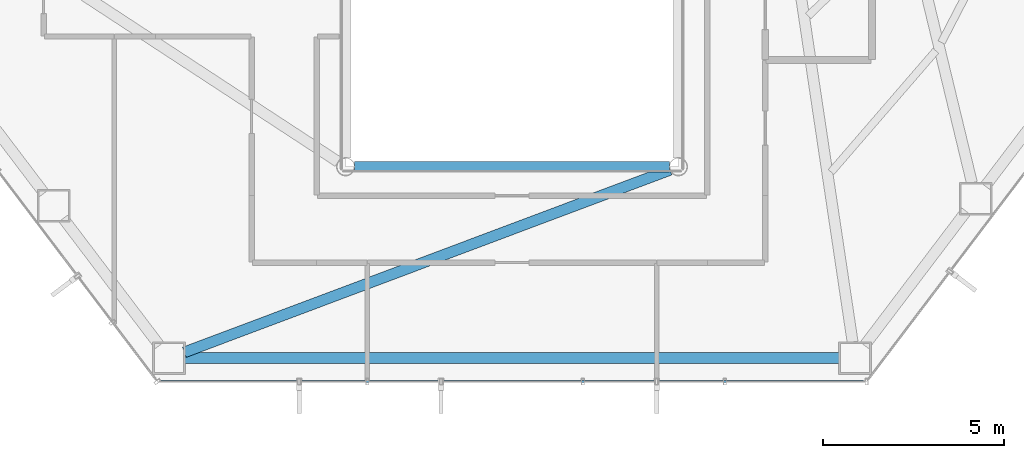
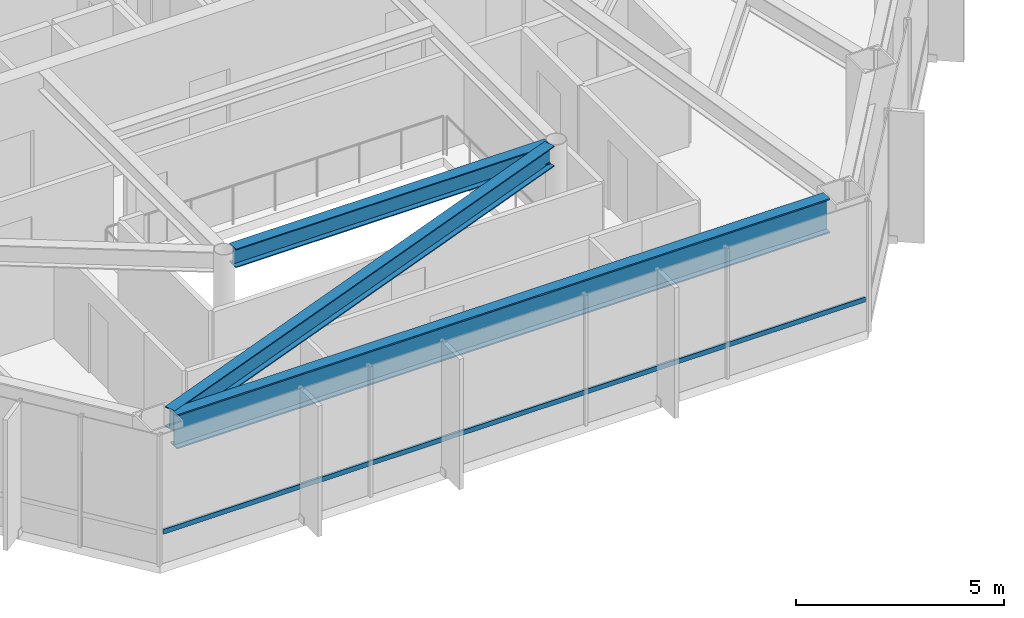
# One storey, part 7 of 25: 3 beams, 1 member, 1 element without a shape of its own.
"""IFC4 building model written with IfcOpenShell, lengths in metres."""

from ifc_helpers import new_model, si_unit, direction, frame, origin, origin_2d, place, context, subcontext, project, spatial, hollow_rectangle, i_section, extrude, material, layer, layer_set, material_profile, profile_set, type_object, element, aggregate, save


model = new_model("IFC4")

# Units and contexts
model_context = context("Model", 3, precision=1e-05, world=origin(), true_north=direction((0.0, 1.0)))
body_context = subcontext(model_context, "Body", "Model", "MODEL_VIEW")
ifc_project = project(units=[si_unit("LENGTHUNIT", "METRE"), si_unit("AREAUNIT", "SQUARE_METRE"), si_unit("VOLUMEUNIT", "CUBIC_METRE"), si_unit("PLANEANGLEUNIT", "RADIAN"), si_unit("MASSUNIT", "GRAM", prefix="KILO")], contexts=[model_context])

# Site, building, storey
site_placement = place(None, origin())
site = spatial("IfcSite", under=ifc_project, at=site_placement, CompositionType="ELEMENT")
building_placement = place(site_placement, origin())
building = spatial("IfcBuilding", under=site, at=building_placement, Name="Zarrinselat Tower", CompositionType="ELEMENT")
storey_placement = place(building_placement, frame((0.0, 0.0, 88.739990234375)))
storey = spatial("IfcBuildingStorey", under=building, at=storey_placement, Name="L21", CompositionType="ELEMENT", Elevation=88.739990234375)

# Beams
ifc_material_1 = material(Name="Steel S355J2", Category="steel")
ifc_material_profile_1 = material_profile(ifc_material_1, i_section(OverallWidth=0.300048828125, OverallDepth=0.550048828125, WebThickness=0.014892578125, FlangeThickness=0.029052734375, at=origin_2d()), Name="HEB 550")
ifc_profile_set_1 = profile_set([ifc_material_profile_1], Name="Steel S355J2")
beam_type_1 = type_object("IfcBeamType", Name="BM-HEB550", PredefinedType="BEAM", material=ifc_profile_set_1)
beam_1_placement = place(storey_placement, frame((34.0400390625, 24.39990234375, 3.544921875), z_axis=(1.0, 0.0, 0.0), x_axis=(0.0, 1.0, 0.0)))
element("IfcBeam", 1, at=beam_1_placement, inside=storey, type_object=beam_type_1, Name="L21 Atrium Edge Beam S", PredefinedType="BEAM", context=body_context, shape_type="SweptSolid", body=[
    extrude(i_section(OverallWidth=0.300048828125, OverallDepth=0.550048828125, WebThickness=0.014892578125, FlangeThickness=0.029052734375, at=origin_2d()), origin(), (0.0, 0.0, 1.0), 8.719970703125),
])
ifc_material_2 = material(Name="Steel S355J2", Category="steel")
ifc_material_profile_2 = material_profile(ifc_material_2, i_section(OverallWidth=0.300048828125, OverallDepth=0.60009765625, WebThickness=0.015380859375, FlangeThickness=0.030029296875, at=origin_2d()), Name="HEB 600")
ifc_profile_set_2 = profile_set([ifc_material_profile_2], Name="Steel S355J2")
beam_type_2 = type_object("IfcBeamType", Name="BM-HEB600", PredefinedType="BEAM", material=ifc_profile_set_2)
beam_2_placement = place(storey_placement, frame((29.340576171875, 19.268798828125, 3.52001953125), z_axis=(0.936131044829, 0.35165134282, 0.0), x_axis=(-0.35165134282, 0.936131044829, 0.0)))
element("IfcBeam", 2, at=beam_2_placement, inside=storey, type_object=beam_type_2, Name="L21 Radial Primary Girder RG10", PredefinedType="BEAM", context=body_context, shape_type="SweptSolid", body=[
    extrude(i_section(OverallWidth=0.300048828125, OverallDepth=0.60009765625, WebThickness=0.015380859375, FlangeThickness=0.030029296875, at=origin_2d()), origin(), (0.0, 0.0, 1.0), 14.341552734375),
])
ifc_material_3 = material(Name="Steel S460M", Category="steel")
ifc_material_profile_3 = material_profile(ifc_material_3, i_section(OverallWidth=0.302001953125, OverallDepth=1.008056640625, WebThickness=0.02099609375, FlangeThickness=0.0400390625, at=origin_2d()), Name="HEM 1000")
ifc_profile_set_3 = profile_set([ifc_material_profile_3], Name="Steel S460M")
beam_type_3 = type_object("IfcBeamType", Name="BM-HEM1000", PredefinedType="BEAM", material=ifc_profile_set_3)
beam_3_placement = place(storey_placement, frame((29.35546875, 19.110107421875, 3.31591796875), z_axis=(1.0, 0.0, 0.0), x_axis=(0.0, 1.0, 0.0)))
element("IfcBeam", 3, at=beam_3_placement, inside=storey, type_object=beam_type_3, Name="L21 Perimeter Spandrel Girder SP10", PredefinedType="BEAM", context=body_context, shape_type="SweptSolid", body=[
    extrude(i_section(OverallWidth=0.302001953125, OverallDepth=1.008056640625, WebThickness=0.02099609375, FlangeThickness=0.0400390625, at=origin_2d()), origin(), (0.0, 0.0, 1.0), 18.089111328125),
])

# Curtain wall, member
ifc_material_4 = material(Name="Extruded Aluminium Alloy EN AW-6063 T6", Category="aluminium")
ifc_layer = layer(ifc_material_4, 0.18505859375)
ifc_layer_set = layer_set([ifc_layer], Name="Extruded Aluminium Alloy EN AW-6063 T6")
curtain_wall_type = type_object("IfcCurtainWallType", Name="CWS-OFF", PredefinedType="NOTDEFINED", material=ifc_layer_set)
curtain_wall_placement = place(storey_placement, origin())
curtain_wall = element("IfcCurtainWall", 4, at=curtain_wall_placement, inside=storey, type_object=curtain_wall_type, Name="L21 Unitised Curtain Wall CW-L21-E04", PredefinedType="NOTDEFINED")
ifc_material_5 = material(Name="Extruded Aluminium Alloy EN AW-6063 T6", Category="aluminium")
ifc_material_profile_4 = material_profile(ifc_material_5, hollow_rectangle(XDim=0.06005859375, YDim=0.139892578125, WallThickness=0.00390625, at=origin_2d()), Name="RHS 140x60x4")
ifc_profile_set_4 = profile_set([ifc_material_profile_4], Name="Extruded Aluminium Alloy EN AW-6063 T6")
member_type = type_object("IfcMemberType", Name="MEM-CW-TRN", PredefinedType="USERDEFINED", material=ifc_profile_set_4)
member_placement = place(storey_placement, frame((28.684326171875, 18.4599609375, 0.949951171875), z_axis=(1.0, 0.0, 0.0), x_axis=(0.0, 1.0, 0.0)))
member = element("IfcMember", 5, at=member_placement, type_object=member_type, Name="CW-L21-E04 Transom 1", ObjectType="TRANSOM", PredefinedType="USERDEFINED", context=body_context, shape_type="SweptSolid", body=[
    extrude(hollow_rectangle(XDim=0.06005859375, YDim=0.139892578125, WallThickness=0.00390625, at=origin_2d()), origin(), (0.0, 0.0, 1.0), 19.43115234375),
])
aggregate(curtain_wall, [member])

save(model, "model.ifc")
